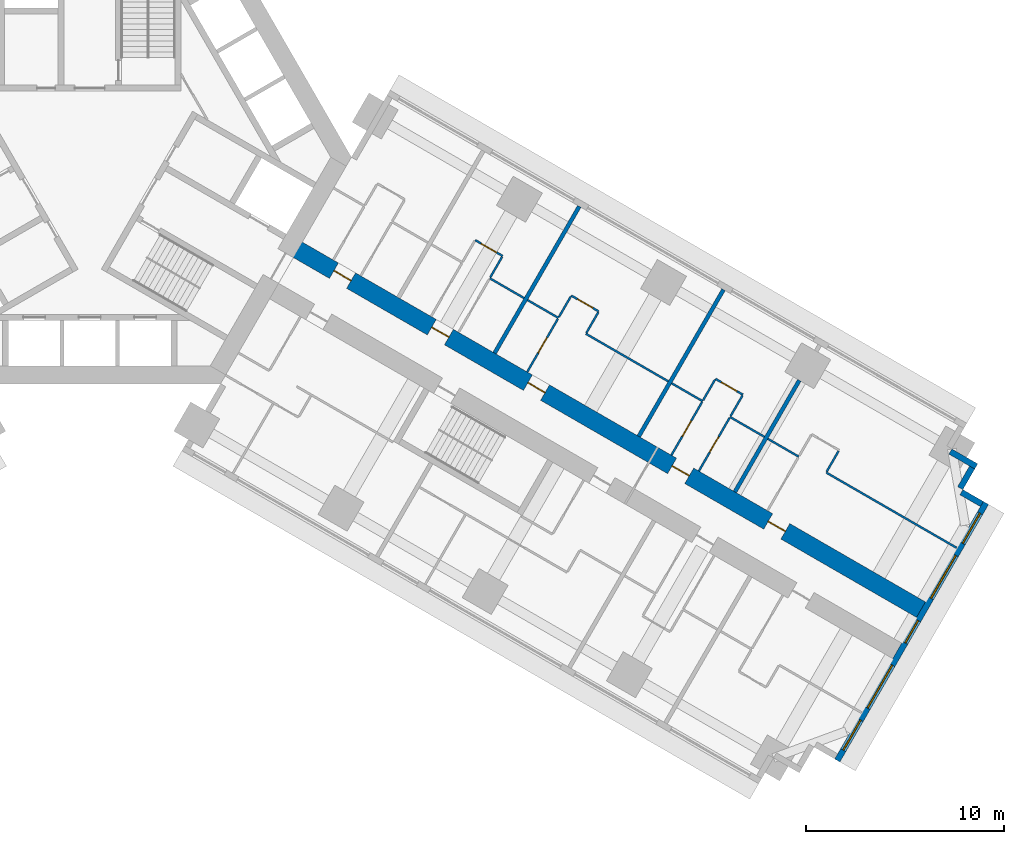
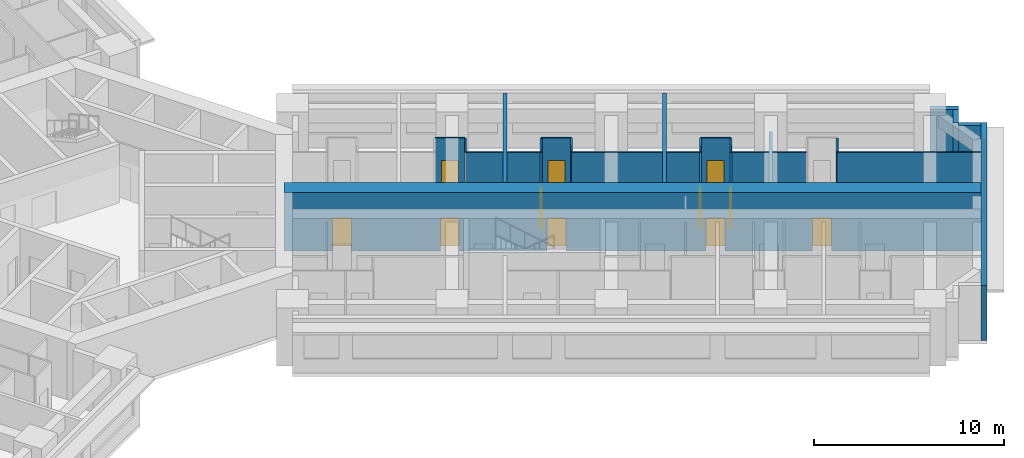
# One storey, part 13 of 17: 27 walls, 11 doors, 5 windows, 16 openings.
"""IFC4 building model written with IfcOpenShell, lengths in metres."""

from ifc_helpers import new_model, si_unit, direction, frame, frame_2d, origin, place, context, subcontext, project, spatial, rectangle, extrude, material, layer, layer_set, type_object, element, fill, save


model = new_model("IFC4")

# Units and contexts
model_context = context("Model", 3, precision=1e-05, world=origin(), true_north=direction((0.0, 1.0)))
body_context = subcontext(model_context, "Body", "Model", "MODEL_VIEW")
ifc_project = project(units=[si_unit("LENGTHUNIT", "METRE"), si_unit("AREAUNIT", "SQUARE_METRE"), si_unit("VOLUMEUNIT", "CUBIC_METRE"), si_unit("PLANEANGLEUNIT", "RADIAN"), si_unit("MASSUNIT", "GRAM", prefix="KILO")], contexts=[model_context])

# Site, building, storey
site_placement = place(None, origin())
site = spatial("IfcSite", under=ifc_project, at=site_placement, CompositionType="ELEMENT")
building_placement = place(site_placement, origin())
building = spatial("IfcBuilding", under=site, at=building_placement, Name="Impinga Residences", CompositionType="ELEMENT")
storey_placement = place(building_placement, frame((0.0, 0.0, 33.5)))
storey = spatial("IfcBuildingStorey", under=building, at=storey_placement, Name="L07", CompositionType="ELEMENT", Elevation=33.5)

# Wall, openings, doors
ifc_material_1 = material(Name="Concrete C70/85", Category="concrete")
ifc_layer_1 = layer(ifc_material_1, 0.89990234375)
ifc_layer_set_1 = layer_set([ifc_layer_1], Name="Concrete C70/85")
wall_type_1 = type_object("IfcWallType", Name="BW1 corridor buttress wall, L05 to L22 900", PredefinedType="SHEAR", material=ifc_layer_set_1)
wall_1_placement = place(storey_placement, frame((10.1103515625, -4.451416015625, 0.0), z_axis=(0.0, 0.0, 1.0), x_axis=(0.866025284237, -0.500000207062, 0.0)))
wall_1 = element("IfcWall", 1, at=wall_1_placement, inside=storey, type_object=wall_type_1, Name="Corridor wall BW1 EC L07", PredefinedType="SHEAR", context=body_context, shape_type="SweptSolid", body=[
    extrude(rectangle(XDim=36.75, YDim=0.89990234375, at=frame_2d((18.375, 0.0))), origin(), (0.0, 0.0, 1.0), 3.75),
])
opening_1_placement = place(wall_1_placement, frame((2.550048828125, 0.0, 0.0)))
opening_1 = element("IfcOpeningElement", 2, at=opening_1_placement, cuts=wall_1, Name="Opening D1", PredefinedType="OPENING", context=body_context, shape_type="SweptSolid", body=[
    extrude(rectangle(XDim=1.0, YDim=2.10009765625, at=frame_2d((0.5, 1.050048828125))), frame((0.0, 0.4599609375, 0.0), z_axis=(0.0, -1.0, 0.0), x_axis=(1.0, 0.0, 0.0)), (0.0, 0.0, 1.0), 0.919921875),
])
opening_2_placement = place(wall_1_placement, frame((8.25, 0.0, 0.0)))
opening_2 = element("IfcOpeningElement", 3, at=opening_2_placement, cuts=wall_1, Name="Opening D1", PredefinedType="OPENING", context=body_context, shape_type="SweptSolid", body=[
    extrude(rectangle(XDim=1.0, YDim=2.10009765625, at=frame_2d((0.5, 1.050048828125))), frame((0.0, 0.4599609375, 0.0), z_axis=(0.0, -1.0, 0.0), x_axis=(1.0, 0.0, 0.0)), (0.0, 0.0, 1.0), 0.919921875),
])
opening_3_placement = place(wall_1_placement, frame((13.85009765625, 0.0, 0.0)))
opening_3 = element("IfcOpeningElement", 4, at=opening_3_placement, cuts=wall_1, Name="Opening D1", PredefinedType="OPENING", context=body_context, shape_type="SweptSolid", body=[
    extrude(rectangle(XDim=1.0, YDim=2.10009765625, at=frame_2d((0.5, 1.050048828125))), frame((0.0, 0.4599609375, 0.0), z_axis=(0.0, -1.0, 0.0), x_axis=(1.0, 0.0, 0.0)), (0.0, 0.0, 1.0), 0.919921875),
])
opening_4_placement = place(wall_1_placement, frame((22.25, 0.0, 0.0)))
opening_4 = element("IfcOpeningElement", 5, at=opening_4_placement, cuts=wall_1, Name="Opening D1", PredefinedType="OPENING", context=body_context, shape_type="SweptSolid", body=[
    extrude(rectangle(XDim=1.0, YDim=2.10009765625, at=frame_2d((0.5, 1.050048828125))), frame((0.0, 0.4599609375, 0.0), z_axis=(0.0, -1.0, 0.0), x_axis=(1.0, 0.0, 0.0)), (0.0, 0.0, 1.0), 0.919921875),
])
opening_5_placement = place(wall_1_placement, frame((27.85009765625, 0.0, 0.0)))
opening_5 = element("IfcOpeningElement", 6, at=opening_5_placement, cuts=wall_1, Name="Opening D1", PredefinedType="OPENING", context=body_context, shape_type="SweptSolid", body=[
    extrude(rectangle(XDim=1.0, YDim=2.10009765625, at=frame_2d((0.5, 1.050048828125))), frame((0.0, 0.4599609375, 0.0), z_axis=(0.0, -1.0, 0.0), x_axis=(1.0, 0.0, 0.0)), (0.0, 0.0, 1.0), 0.919921875),
])
ifc_material_2 = material(Name="Timber door set", Category="wood")
door_type_1 = type_object("IfcDoorType", Name="D1 apartment entrance door 1000x2100", OperationType="SINGLE_SWING_LEFT", PredefinedType="DOOR", material=ifc_material_2)
door_1_placement = place(opening_1_placement, origin())
door_1 = element("IfcDoor", 7, at=door_1_placement, inside=storey, type_object=door_type_1, Name="Apartment L07-EA1 entrance", OperationType="SINGLE_SWING_LEFT", OverallHeight=2.10009765625, OverallWidth=1.0, PredefinedType="DOOR", context=body_context, shape_type="SweptSolid", body=[
    extrude(rectangle(XDim=1.0, YDim=2.10009765625, at=frame_2d((0.5, 1.050048828125))), frame((0.0, 0.02490234375, 0.0), z_axis=(0.0, -1.0, 0.0), x_axis=(1.0, 0.0, 0.0)), (0.0, 0.0, 1.0), 0.050048828125),
])
fill(opening_1, door_1)
door_2_placement = place(opening_2_placement, origin())
door_2 = element("IfcDoor", 8, at=door_2_placement, inside=storey, type_object=door_type_1, Name="Apartment L07-EA2 entrance", OperationType="SINGLE_SWING_LEFT", OverallHeight=2.10009765625, OverallWidth=1.0, PredefinedType="DOOR", context=body_context, shape_type="SweptSolid", body=[
    extrude(rectangle(XDim=1.0, YDim=2.10009765625, at=frame_2d((0.5, 1.050048828125))), frame((0.0, 0.02490234375, 0.0), z_axis=(0.0, -1.0, 0.0), x_axis=(1.0, 0.0, 0.0)), (0.0, 0.0, 1.0), 0.050048828125),
])
fill(opening_2, door_2)
door_3_placement = place(opening_3_placement, origin())
door_3 = element("IfcDoor", 9, at=door_3_placement, inside=storey, type_object=door_type_1, Name="Apartment L07-EA3 entrance", OperationType="SINGLE_SWING_LEFT", OverallHeight=2.10009765625, OverallWidth=1.0, PredefinedType="DOOR", context=body_context, shape_type="SweptSolid", body=[
    extrude(rectangle(XDim=1.0, YDim=2.10009765625, at=frame_2d((0.5, 1.050048828125))), frame((0.0, 0.02490234375, 0.0), z_axis=(0.0, -1.0, 0.0), x_axis=(1.0, 0.0, 0.0)), (0.0, 0.0, 1.0), 0.050048828125),
])
fill(opening_3, door_3)
door_4_placement = place(opening_4_placement, origin())
door_4 = element("IfcDoor", 10, at=door_4_placement, inside=storey, type_object=door_type_1, Name="Apartment L07-EA4 entrance", OperationType="SINGLE_SWING_RIGHT", OverallHeight=2.10009765625, OverallWidth=1.0, PredefinedType="DOOR", context=body_context, shape_type="SweptSolid", body=[
    extrude(rectangle(XDim=1.0, YDim=2.10009765625, at=frame_2d((0.5, 1.050048828125))), frame((0.0, 0.02490234375, 0.0), z_axis=(0.0, -1.0, 0.0), x_axis=(1.0, 0.0, 0.0)), (0.0, 0.0, 1.0), 0.050048828125),
])
fill(opening_4, door_4)
door_5_placement = place(opening_5_placement, origin())
door_5 = element("IfcDoor", 11, at=door_5_placement, inside=storey, type_object=door_type_1, Name="Apartment L07-EA5 entrance", OperationType="SINGLE_SWING_RIGHT", OverallHeight=2.10009765625, OverallWidth=1.0, PredefinedType="DOOR", context=body_context, shape_type="SweptSolid", body=[
    extrude(rectangle(XDim=1.0, YDim=2.10009765625, at=frame_2d((0.5, 1.050048828125))), frame((0.0, 0.02490234375, 0.0), z_axis=(0.0, -1.0, 0.0), x_axis=(1.0, 0.0, 0.0)), (0.0, 0.0, 1.0), 0.050048828125),
])
fill(opening_5, door_5)

# Walls
ifc_material_3 = material(Name="Terracotta rainscreen on blockwork", Category="masonry")
ifc_layer_2 = layer(ifc_material_3, 0.300048828125)
ifc_layer_set_2 = layer_set([ifc_layer_2], Name="EW1 external wall, terracotta rainscreen on blockwork 300")
wall_type_2 = type_object("IfcWallType", Name="EW1 external wall, terracotta rainscreen on blockwork 300", PredefinedType="SOLIDWALL", material=ifc_layer_set_2)
wall_2_placement = place(storey_placement, frame((43.42333984375, -14.8515625, 0.0), z_axis=(0.0, 0.0, 1.0), x_axis=(0.866031096941, -0.499990139034, 0.0)))
element("IfcWall", 12, at=wall_2_placement, inside=storey, type_object=wall_type_2, Name="External wall EW1 L07", PredefinedType="SOLIDWALL", context=body_context, shape_type="SweptSolid", body=[
    extrude(rectangle(XDim=1.5, YDim=0.300048828125, at=frame_2d((0.75, 0.0))), origin(), (0.0, 0.0, 1.0), 3.530029296875),
])
wall_3_placement = place(storey_placement, frame((44.517578125, -15.65625, 0.0), z_axis=(0.0, 0.0, 1.0), x_axis=(-0.500033551112, -0.866006032174, 0.0)))
element("IfcWall", 13, at=wall_3_placement, inside=storey, type_object=wall_type_2, Name="External wall EW1 L07", PredefinedType="SOLIDWALL", context=body_context, shape_type="SweptSolid", body=[
    extrude(rectangle(XDim=1.2001953125, YDim=0.300048828125, at=frame_2d((0.60009765625, 0.0))), origin(), (0.0, 0.0, 1.0), 3.530029296875),
])
wall_4_placement = place(storey_placement, frame((43.976806640625, -16.903076171875, 0.0), z_axis=(0.0, 0.0, 1.0), x_axis=(0.866059708757, -0.499940577336, 0.0)))
element("IfcWall", 14, at=wall_4_placement, inside=storey, type_object=wall_type_2, Name="External wall EW1 L07", PredefinedType="SOLIDWALL", context=body_context, shape_type="SweptSolid", body=[
    extrude(rectangle(XDim=1.195068359375, YDim=0.300048828125, at=frame_2d((0.59765625, 0.0))), origin(), (0.0, 0.0, 1.0), 3.530029296875),
])

# Wall, openings, windows
wall_5_placement = place(storey_placement, frame((45.216552734375, -17.445556640625, 0.0), z_axis=(0.0, 0.0, 1.0), x_axis=(-0.499997186618, -0.866027028085, 0.0)))
wall_5 = element("IfcWall", 15, at=wall_5_placement, inside=storey, type_object=wall_type_2, Name="External wall EW1 L07", PredefinedType="SOLIDWALL", context=body_context, shape_type="SweptSolid", body=[
    extrude(rectangle(XDim=15.0, YDim=0.300048828125, at=frame_2d((7.5, 0.0))), origin(), (0.0, 0.0, 1.0), 3.530029296875),
])
opening_6_placement = place(wall_5_placement, frame((0.60009765625, 0.0, 0.89990234375)))
opening_6 = element("IfcOpeningElement", 16, at=opening_6_placement, cuts=wall_5, Name="Opening W1", PredefinedType="OPENING", context=body_context, shape_type="SweptSolid", body=[
    extrude(rectangle(XDim=1.75, YDim=2.050048828125, at=frame_2d((0.875, 1.02490234375))), frame((0.0, 0.159912109375, 0.0), z_axis=(0.0, -1.0, 0.0), x_axis=(1.0, 0.0, 0.0)), (0.0, 0.0, 1.0), 0.320068359375),
])
opening_7_placement = place(wall_5_placement, frame((3.050048828125, 0.0, 0.89990234375)))
opening_7 = element("IfcOpeningElement", 17, at=opening_7_placement, cuts=wall_5, Name="Opening W2", PredefinedType="OPENING", context=body_context, shape_type="SweptSolid", body=[
    extrude(rectangle(XDim=2.5, YDim=2.050048828125, at=frame_2d((1.25, 1.02490234375))), frame((0.0, 0.159912109375, 0.0), z_axis=(0.0, -1.0, 0.0), x_axis=(1.0, 0.0, 0.0)), (0.0, 0.0, 1.0), 0.320068359375),
])
opening_8_placement = place(wall_5_placement, frame((6.85009765625, 0.0, 0.89990234375)))
opening_8 = element("IfcOpeningElement", 18, at=opening_8_placement, cuts=wall_5, Name="Opening WE1", PredefinedType="OPENING", context=body_context, shape_type="SweptSolid", body=[
    extrude(rectangle(XDim=1.300048828125, YDim=2.050048828125, at=frame_2d((0.64990234375, 1.02490234375))), frame((0.0, 0.159912109375, 0.0), z_axis=(0.0, -1.0, 0.0), x_axis=(1.0, 0.0, 0.0)), (0.0, 0.0, 1.0), 0.320068359375),
])
opening_9_placement = place(wall_5_placement, frame((9.449951171875, 0.0, 0.89990234375)))
opening_9 = element("IfcOpeningElement", 19, at=opening_9_placement, cuts=wall_5, Name="Opening W2", PredefinedType="OPENING", context=body_context, shape_type="SweptSolid", body=[
    extrude(rectangle(XDim=2.5, YDim=2.050048828125, at=frame_2d((1.25, 1.02490234375))), frame((0.0, 0.159912109375, 0.0), z_axis=(0.0, -1.0, 0.0), x_axis=(1.0, 0.0, 0.0)), (0.0, 0.0, 1.0), 0.320068359375),
])
opening_10_placement = place(wall_5_placement, frame((12.64990234375, 0.0, 0.89990234375)))
opening_10 = element("IfcOpeningElement", 20, at=opening_10_placement, cuts=wall_5, Name="Opening W1", PredefinedType="OPENING", context=body_context, shape_type="SweptSolid", body=[
    extrude(rectangle(XDim=1.75, YDim=2.050048828125, at=frame_2d((0.875, 1.02490234375))), frame((0.0, 0.159912109375, 0.0), z_axis=(0.0, -1.0, 0.0), x_axis=(1.0, 0.0, 0.0)), (0.0, 0.0, 1.0), 0.320068359375),
])
ifc_material_4 = material(Name="Aluminium window, clear double glazing", Category="aluminium")
window_type_1 = type_object("IfcWindowType", Name="W1 ribbon window 1750x2050", PartitioningType="SINGLE_PANEL", PredefinedType="WINDOW", material=ifc_material_4)
window_1_placement = place(opening_6_placement, origin())
window_1 = element("IfcWindow", 21, at=window_1_placement, inside=storey, type_object=window_type_1, Name="Window L07", OverallHeight=2.050048828125, OverallWidth=1.75, PartitioningType="SINGLE_PANEL", PredefinedType="WINDOW", context=body_context, shape_type="SweptSolid", body=[
    extrude(rectangle(XDim=1.75, YDim=2.050048828125, at=frame_2d((0.875, 1.02490234375))), frame((0.0, 0.030029296875, 0.0), z_axis=(0.0, -1.0, 0.0), x_axis=(1.0, 0.0, 0.0)), (0.0, 0.0, 1.0), 0.06005859375),
])
fill(opening_6, window_1)
window_2_placement = place(opening_10_placement, origin())
window_2 = element("IfcWindow", 22, at=window_2_placement, inside=storey, type_object=window_type_1, Name="Window L07", OverallHeight=2.050048828125, OverallWidth=1.75, PartitioningType="SINGLE_PANEL", PredefinedType="WINDOW", context=body_context, shape_type="SweptSolid", body=[
    extrude(rectangle(XDim=1.75, YDim=2.050048828125, at=frame_2d((0.875, 1.02490234375))), frame((0.0, 0.030029296875, 0.0), z_axis=(0.0, -1.0, 0.0), x_axis=(1.0, 0.0, 0.0)), (0.0, 0.0, 1.0), 0.06005859375),
])
fill(opening_10, window_2)
window_type_2 = type_object("IfcWindowType", Name="W2 ribbon window 2500x2050", PartitioningType="SINGLE_PANEL", PredefinedType="WINDOW", material=ifc_material_4)
window_3_placement = place(opening_7_placement, origin())
window_3 = element("IfcWindow", 23, at=window_3_placement, inside=storey, type_object=window_type_2, Name="Window L07", OverallHeight=2.050048828125, OverallWidth=2.5, PartitioningType="SINGLE_PANEL", PredefinedType="WINDOW", context=body_context, shape_type="SweptSolid", body=[
    extrude(rectangle(XDim=2.5, YDim=2.050048828125, at=frame_2d((1.25, 1.02490234375))), frame((0.0, 0.030029296875, 0.0), z_axis=(0.0, -1.0, 0.0), x_axis=(1.0, 0.0, 0.0)), (0.0, 0.0, 1.0), 0.06005859375),
])
fill(opening_7, window_3)
window_4_placement = place(opening_9_placement, origin())
window_4 = element("IfcWindow", 24, at=window_4_placement, inside=storey, type_object=window_type_2, Name="Window L07", OverallHeight=2.050048828125, OverallWidth=2.5, PartitioningType="SINGLE_PANEL", PredefinedType="WINDOW", context=body_context, shape_type="SweptSolid", body=[
    extrude(rectangle(XDim=2.5, YDim=2.050048828125, at=frame_2d((1.25, 1.02490234375))), frame((0.0, 0.030029296875, 0.0), z_axis=(0.0, -1.0, 0.0), x_axis=(1.0, 0.0, 0.0)), (0.0, 0.0, 1.0), 0.06005859375),
])
fill(opening_9, window_4)
window_type_3 = type_object("IfcWindowType", Name="WE1 corridor window 1300x2050", PartitioningType="SINGLE_PANEL", PredefinedType="WINDOW", material=ifc_material_4)
window_5_placement = place(opening_8_placement, origin())
window_5 = element("IfcWindow", 25, at=window_5_placement, inside=storey, type_object=window_type_3, Name="Window L07", OverallHeight=2.050048828125, OverallWidth=1.300048828125, PartitioningType="SINGLE_PANEL", PredefinedType="WINDOW", context=body_context, shape_type="SweptSolid", body=[
    extrude(rectangle(XDim=1.300048828125, YDim=2.050048828125, at=frame_2d((0.64990234375, 1.02490234375))), frame((0.0, 0.030029296875, 0.0), z_axis=(0.0, -1.0, 0.0), x_axis=(1.0, 0.0, 0.0)), (0.0, 0.0, 1.0), 0.06005859375),
])
fill(opening_8, window_5)

# Wall
ifc_material_5 = material(Name="Gypsum board on steel studs", Category="steel")
ifc_layer_3 = layer(ifc_material_5, 0.10009765625)
ifc_layer_set_3 = layer_set([ifc_layer_3], Name="Gypsum board on steel studs")
wall_type_3 = type_object("IfcWallType", Name="IP1 partition 100", PredefinedType="PARTITIONING", material=ifc_layer_set_3)
wall_6_placement = place(storey_placement, frame((20.180908203125, -6.10888671875, 0.0), z_axis=(0.0, 0.0, 1.0), x_axis=(0.866010750942, -0.50002537861, 0.0)))
element("IfcWall", 26, at=wall_6_placement, inside=storey, type_object=wall_type_3, Name="Partition L07-EA2:DIV1", PredefinedType="PARTITIONING", context=body_context, shape_type="SweptSolid", body=[
    extrude(rectangle(XDim=2.0, YDim=0.10009765625, at=frame_2d((1.0, 0.0))), origin(), (0.0, 0.0, 1.0), 3.530029296875),
])

# Wall, opening, door
wall_7_placement = place(storey_placement, frame((19.4453125, -4.18310546875, 0.0), z_axis=(0.0, 0.0, 1.0), x_axis=(0.866055983265, -0.499947031044, 0.0)))
wall_7 = element("IfcWall", 27, at=wall_7_placement, inside=storey, type_object=wall_type_3, Name="Partition L07-EA2:STRIP", PredefinedType="PARTITIONING", context=body_context, shape_type="SweptSolid", body=[
    extrude(rectangle(XDim=1.599853515625, YDim=0.10009765625, at=frame_2d((0.7998046875, 0.0))), origin(), (0.0, 0.0, 1.0), 3.530029296875),
])
opening_11_placement = place(wall_7_placement, frame((0.35009765625, 0.0, 0.0)))
opening_11 = element("IfcOpeningElement", 28, at=opening_11_placement, cuts=wall_7, Name="Opening D2", PredefinedType="OPENING", context=body_context, shape_type="SweptSolid", body=[
    extrude(rectangle(XDim=0.89990234375, YDim=2.10009765625, at=frame_2d((0.449951171875, 1.050048828125))), frame((0.0, 0.06005859375, 0.0), z_axis=(0.0, -1.0, 0.0), x_axis=(1.0, 0.0, 0.0)), (0.0, 0.0, 1.0), 0.1201171875),
])
door_type_2 = type_object("IfcDoorType", Name="D2 internal door 900x2100", OperationType="SINGLE_SWING_LEFT", PredefinedType="DOOR", material=ifc_material_2)
door_6_placement = place(opening_11_placement, origin())
door_6 = element("IfcDoor", 29, at=door_6_placement, inside=storey, type_object=door_type_2, Name="Apartment L07-EA2 room door", OperationType="SINGLE_SWING_LEFT", OverallHeight=2.10009765625, OverallWidth=0.89990234375, PredefinedType="DOOR", context=body_context, shape_type="SweptSolid", body=[
    extrude(rectangle(XDim=0.89990234375, YDim=2.10009765625, at=frame_2d((0.449951171875, 1.050048828125))), frame((0.0, 0.02490234375, 0.0), z_axis=(0.0, -1.0, 0.0), x_axis=(1.0, 0.0, 0.0)), (0.0, 0.0, 1.0), 0.050048828125),
])
fill(opening_11, door_6)

# Walls
wall_8_placement = place(storey_placement, frame((20.205810546875, -6.0654296875, 0.0), z_axis=(0.0, 0.0, 1.0), x_axis=(0.50012165622, 0.865955154139, 0.0)))
element("IfcWall", 30, at=wall_8_placement, inside=storey, type_object=wall_type_3, Name="Partition L07-EA2:SE1", PredefinedType="PARTITIONING", context=body_context, shape_type="SweptSolid", body=[
    extrude(rectangle(XDim=1.199951171875, YDim=0.10009765625, at=frame_2d((0.60009765625, 0.0))), origin(), (0.0, 0.0, 1.0), 3.530029296875),
])
wall_9_placement = place(storey_placement, frame((22.086181640625, -7.208740234375, 0.0), z_axis=(0.0, 0.0, 1.0), x_axis=(0.865989075817, -0.500062916607, 0.0)))
element("IfcWall", 31, at=wall_9_placement, inside=storey, type_object=wall_type_3, Name="Partition L07-EA3:DIV0", PredefinedType="PARTITIONING", context=body_context, shape_type="SweptSolid", body=[
    extrude(rectangle(XDim=1.800048828125, YDim=0.10009765625, at=frame_2d((0.89990234375, 0.0))), origin(), (0.0, 0.0, 1.0), 3.530029296875),
])
wall_10_placement = place(storey_placement, frame((25.030517578125, -8.908935546875, 0.0), z_axis=(0.0, 0.0, 1.0), x_axis=(0.866037363387, -0.499979284789, 0.0)))
element("IfcWall", 32, at=wall_10_placement, inside=storey, type_object=wall_type_3, Name="Partition L07-EA3:DIV1", PredefinedType="PARTITIONING", context=body_context, shape_type="SweptSolid", body=[
    extrude(rectangle(XDim=4.800048828125, YDim=0.10009765625, at=frame_2d((2.39990234375, 0.0))), origin(), (0.0, 0.0, 1.0), 3.530029296875),
])

# Wall, opening, door
wall_11_placement = place(storey_placement, frame((24.294921875, -6.98291015625, 0.0), z_axis=(0.0, 0.0, 1.0), x_axis=(0.866028054938, -0.499995408039, 0.0)))
wall_11 = element("IfcWall", 33, at=wall_11_placement, inside=storey, type_object=wall_type_3, Name="Partition L07-EA3:STRIP", PredefinedType="PARTITIONING", context=body_context, shape_type="SweptSolid", body=[
    extrude(rectangle(XDim=1.60009765625, YDim=0.10009765625, at=frame_2d((0.800048828125, 0.0))), origin(), (0.0, 0.0, 1.0), 3.530029296875),
])
opening_12_placement = place(wall_11_placement, frame((0.35009765625, 0.0, 0.0)))
opening_12 = element("IfcOpeningElement", 34, at=opening_12_placement, cuts=wall_11, Name="Opening D2", PredefinedType="OPENING", context=body_context, shape_type="SweptSolid", body=[
    extrude(rectangle(XDim=0.89990234375, YDim=2.10009765625, at=frame_2d((0.449951171875, 1.050048828125))), frame((0.0, 0.06005859375, 0.0), z_axis=(0.0, -1.0, 0.0), x_axis=(1.0, 0.0, 0.0)), (0.0, 0.0, 1.0), 0.1201171875),
])
door_7_placement = place(opening_12_placement, origin())
door_7 = element("IfcDoor", 35, at=door_7_placement, inside=storey, type_object=door_type_2, Name="Apartment L07-EA3 room door", OperationType="SINGLE_SWING_LEFT", OverallHeight=2.10009765625, OverallWidth=0.89990234375, PredefinedType="DOOR", context=body_context, shape_type="SweptSolid", body=[
    extrude(rectangle(XDim=0.89990234375, YDim=2.10009765625, at=frame_2d((0.449951171875, 1.050048828125))), frame((0.0, 0.02490234375, 0.0), z_axis=(0.0, -1.0, 0.0), x_axis=(1.0, 0.0, 0.0)), (0.0, 0.0, 1.0), 0.050048828125),
])
fill(opening_12, door_7)

# Walls
wall_12_placement = place(storey_placement, frame((23.669921875, -8.0654296875, 0.0), z_axis=(0.0, 0.0, 1.0), x_axis=(0.50012165622, 0.865955154139, 0.0)))
element("IfcWall", 36, at=wall_12_placement, inside=storey, type_object=wall_type_3, Name="Partition L07-EA3:SE0", PredefinedType="PARTITIONING", context=body_context, shape_type="SweptSolid", body=[
    extrude(rectangle(XDim=1.199951171875, YDim=0.10009765625, at=frame_2d((0.60009765625, 0.0))), origin(), (0.0, 0.0, 1.0), 3.530029296875),
])
wall_13_placement = place(storey_placement, frame((25.0556640625, -8.865478515625, 0.0), z_axis=(0.0, 0.0, 1.0), x_axis=(0.499969057507, 0.866043267704, 0.0)))
element("IfcWall", 37, at=wall_13_placement, inside=storey, type_object=wall_type_3, Name="Partition L07-EA3:SE1", PredefinedType="PARTITIONING", context=body_context, shape_type="SweptSolid", body=[
    extrude(rectangle(XDim=1.19970703125, YDim=0.10009765625, at=frame_2d((0.599853515625, 0.0))), origin(), (0.0, 0.0, 1.0), 3.530029296875),
])

# Wall, opening, door
wall_14_placement = place(storey_placement, frame((22.06982421875, -10.8369140625, 0.0), z_axis=(0.0, 0.0, 1.0), x_axis=(0.49999285859, 0.86602952684, 0.0)))
wall_14 = element("IfcWall", 38, at=wall_14_placement, inside=storey, type_object=wall_type_3, Name="Partition L07-EA3:IB1", PredefinedType="PARTITIONING", context=body_context, shape_type="SweptSolid", body=[
    extrude(rectangle(XDim=3.10009765625, YDim=0.10009765625, at=frame_2d((1.550048828125, 0.0))), origin(), (0.0, 0.0, 1.0), 3.530029296875),
])
opening_13_placement = place(wall_14_placement, frame((1.10009765625, 0.0, 0.0)))
opening_13 = element("IfcOpeningElement", 39, at=opening_13_placement, cuts=wall_14, Name="Opening D2", PredefinedType="OPENING", context=body_context, shape_type="SweptSolid", body=[
    extrude(rectangle(XDim=0.89990234375, YDim=2.10009765625, at=frame_2d((0.449951171875, 1.050048828125))), frame((0.0, 0.06005859375, 0.0), z_axis=(0.0, -1.0, 0.0), x_axis=(1.0, 0.0, 0.0)), (0.0, 0.0, 1.0), 0.1201171875),
])
door_8_placement = place(opening_13_placement, origin())
door_8 = element("IfcDoor", 40, at=door_8_placement, inside=storey, type_object=door_type_2, Name="Apartment L07-EA3 bathroom door", OperationType="SINGLE_SWING_LEFT", OverallHeight=2.10009765625, OverallWidth=0.89990234375, PredefinedType="DOOR", context=body_context, shape_type="SweptSolid", body=[
    extrude(rectangle(XDim=0.89990234375, YDim=2.10009765625, at=frame_2d((0.449951171875, 1.050048828125))), frame((0.0, 0.02490234375, 0.0), z_axis=(0.0, -1.0, 0.0), x_axis=(1.0, 0.0, 0.0)), (0.0, 0.0, 1.0), 0.050048828125),
])
fill(opening_13, door_8)

# Walls
wall_15_placement = place(storey_placement, frame((29.360595703125, -11.408935546875, 0.0), z_axis=(0.0, 0.0, 1.0), x_axis=(0.866047807691, -0.499961193289, 0.0)))
element("IfcWall", 41, at=wall_15_placement, inside=storey, type_object=wall_type_3, Name="Partition L07-EA4:DIV0", PredefinedType="PARTITIONING", context=body_context, shape_type="SweptSolid", body=[
    extrude(rectangle(XDim=1.800048828125, YDim=0.10009765625, at=frame_2d((0.89990234375, 0.0))), origin(), (0.0, 0.0, 1.0), 3.530029296875),
])
wall_16_placement = place(storey_placement, frame((32.30517578125, -13.10888671875, 0.0), z_axis=(0.0, 0.0, 1.0), x_axis=(0.866041268327, -0.499972520799, 0.0)))
element("IfcWall", 42, at=wall_16_placement, inside=storey, type_object=wall_type_3, Name="Partition L07-EA4:DIV1", PredefinedType="PARTITIONING", context=body_context, shape_type="SweptSolid", body=[
    extrude(rectangle(XDim=2.0, YDim=0.10009765625, at=frame_2d((1.0, 0.0))), origin(), (0.0, 0.0, 1.0), 3.530029296875),
])

# Wall, opening, door
wall_17_placement = place(storey_placement, frame((31.569580078125, -11.18310546875, 0.0), z_axis=(0.0, 0.0, 1.0), x_axis=(0.866055983265, -0.499947031044, 0.0)))
wall_17 = element("IfcWall", 43, at=wall_17_placement, inside=storey, type_object=wall_type_3, Name="Partition L07-EA4:STRIP", PredefinedType="PARTITIONING", context=body_context, shape_type="SweptSolid", body=[
    extrude(rectangle(XDim=1.599853515625, YDim=0.10009765625, at=frame_2d((0.7998046875, 0.0))), origin(), (0.0, 0.0, 1.0), 3.530029296875),
])
opening_14_placement = place(wall_17_placement, frame((0.35009765625, 0.0, 0.0)))
opening_14 = element("IfcOpeningElement", 44, at=opening_14_placement, cuts=wall_17, Name="Opening D2", PredefinedType="OPENING", context=body_context, shape_type="SweptSolid", body=[
    extrude(rectangle(XDim=0.89990234375, YDim=2.10009765625, at=frame_2d((0.449951171875, 1.050048828125))), frame((0.0, 0.06005859375, 0.0), z_axis=(0.0, -1.0, 0.0), x_axis=(1.0, 0.0, 0.0)), (0.0, 0.0, 1.0), 0.1201171875),
])
door_9_placement = place(opening_14_placement, origin())
door_9 = element("IfcDoor", 45, at=door_9_placement, inside=storey, type_object=door_type_2, Name="Apartment L07-EA4 room door", OperationType="SINGLE_SWING_LEFT", OverallHeight=2.10009765625, OverallWidth=0.89990234375, PredefinedType="DOOR", context=body_context, shape_type="SweptSolid", body=[
    extrude(rectangle(XDim=0.89990234375, YDim=2.10009765625, at=frame_2d((0.449951171875, 1.050048828125))), frame((0.0, 0.02490234375, 0.0), z_axis=(0.0, -1.0, 0.0), x_axis=(1.0, 0.0, 0.0)), (0.0, 0.0, 1.0), 0.050048828125),
])
fill(opening_14, door_9)

# Walls
for number, where, z_axis, x_axis, name in (
    (46, (30.944580078125, -12.265625, 0.0), (0.0, 0.0, 1.0), (0.499880961361, 0.866094119867, 0.0), "Partition L07-EA4:SE0"),
    (47, (32.330078125, -13.0654296875, 0.0), (0.0, 0.0, 1.0), (0.50012165622, 0.865955154139, 0.0), "Partition L07-EA4:SE1"),
):
    element("IfcWall", number, at=place(storey_placement, frame(where, z_axis=z_axis, x_axis=x_axis)), inside=storey, type_object=wall_type_3, Name=name, PredefinedType="PARTITIONING", context=body_context, shape_type="SweptSolid", body=[
        extrude(rectangle(XDim=1.199951171875, YDim=0.10009765625, at=frame_2d((0.60009765625, 0.0))), origin(), (0.0, 0.0, 1.0), 3.530029296875),
    ])

# Wall, opening, door
wall_18_placement = place(storey_placement, frame((29.344482421875, -15.036865234375, 0.0), z_axis=(0.0, 0.0, 1.0), x_axis=(0.49999285859, 0.86602952684, 0.0)))
wall_18 = element("IfcWall", 48, at=wall_18_placement, inside=storey, type_object=wall_type_3, Name="Partition L07-EA4:IB1", PredefinedType="PARTITIONING", context=body_context, shape_type="SweptSolid", body=[
    extrude(rectangle(XDim=3.10009765625, YDim=0.10009765625, at=frame_2d((1.550048828125, 0.0))), origin(), (0.0, 0.0, 1.0), 3.530029296875),
])
opening_15_placement = place(wall_18_placement, frame((1.10009765625, 0.0, 0.0)))
opening_15 = element("IfcOpeningElement", 49, at=opening_15_placement, cuts=wall_18, Name="Opening D2", PredefinedType="OPENING", context=body_context, shape_type="SweptSolid", body=[
    extrude(rectangle(XDim=0.89990234375, YDim=2.10009765625, at=frame_2d((0.449951171875, 1.050048828125))), frame((0.0, 0.06005859375, 0.0), z_axis=(0.0, -1.0, 0.0), x_axis=(1.0, 0.0, 0.0)), (0.0, 0.0, 1.0), 0.1201171875),
])
door_10_placement = place(opening_15_placement, origin())
door_10 = element("IfcDoor", 50, at=door_10_placement, inside=storey, type_object=door_type_2, Name="Apartment L07-EA4 bathroom door", OperationType="SINGLE_SWING_LEFT", OverallHeight=2.10009765625, OverallWidth=0.89990234375, PredefinedType="DOOR", context=body_context, shape_type="SweptSolid", body=[
    extrude(rectangle(XDim=0.89990234375, YDim=2.10009765625, at=frame_2d((0.449951171875, 1.050048828125))), frame((0.0, 0.02490234375, 0.0), z_axis=(0.0, -1.0, 0.0), x_axis=(1.0, 0.0, 0.0)), (0.0, 0.0, 1.0), 0.050048828125),
])
fill(opening_15, door_10)

wall_19_placement = place(storey_placement, frame((30.730224609375, -15.8369140625, 0.0), z_axis=(0.0, 0.0, 1.0), x_axis=(0.49999285859, 0.86602952684, 0.0)))
wall_19 = element("IfcWall", 51, at=wall_19_placement, inside=storey, type_object=wall_type_3, Name="Partition L07-EA4:IB2", PredefinedType="PARTITIONING", context=body_context, shape_type="SweptSolid", body=[
    extrude(rectangle(XDim=3.10009765625, YDim=0.10009765625, at=frame_2d((1.550048828125, 0.0))), origin(), (0.0, 0.0, 1.0), 3.530029296875),
])
opening_16_placement = place(wall_19_placement, frame((1.10009765625, 0.0, 0.0)))
opening_16 = element("IfcOpeningElement", 52, at=opening_16_placement, cuts=wall_19, Name="Opening D2", PredefinedType="OPENING", context=body_context, shape_type="SweptSolid", body=[
    extrude(rectangle(XDim=0.89990234375, YDim=2.10009765625, at=frame_2d((0.449951171875, 1.050048828125))), frame((0.0, 0.06005859375, 0.0), z_axis=(0.0, -1.0, 0.0), x_axis=(1.0, 0.0, 0.0)), (0.0, 0.0, 1.0), 0.1201171875),
])
door_11_placement = place(opening_16_placement, origin())
door_11 = element("IfcDoor", 53, at=door_11_placement, inside=storey, type_object=door_type_2, Name="Apartment L07-EA4 WC door", OperationType="SINGLE_SWING_LEFT", OverallHeight=2.10009765625, OverallWidth=0.89990234375, PredefinedType="DOOR", context=body_context, shape_type="SweptSolid", body=[
    extrude(rectangle(XDim=0.89990234375, YDim=2.10009765625, at=frame_2d((0.449951171875, 1.050048828125))), frame((0.0, 0.02490234375, 0.0), z_axis=(0.0, -1.0, 0.0), x_axis=(1.0, 0.0, 0.0)), (0.0, 0.0, 1.0), 0.050048828125),
])
fill(opening_16, door_11)

# Walls
wall_20_placement = place(storey_placement, frame((34.21044921875, -14.208740234375, 0.0), z_axis=(0.0, 0.0, 1.0), x_axis=(0.865989075817, -0.500062916607, 0.0)))
element("IfcWall", 54, at=wall_20_placement, inside=storey, type_object=wall_type_3, Name="Partition L07-EA5:DIV0", PredefinedType="PARTITIONING", context=body_context, shape_type="SweptSolid", body=[
    extrude(rectangle(XDim=1.800048828125, YDim=0.10009765625, at=frame_2d((0.89990234375, 0.0))), origin(), (0.0, 0.0, 1.0), 3.530029296875),
])
wall_21_placement = place(storey_placement, frame((37.155029296875, -15.908935546875, 0.0), z_axis=(0.0, 0.0, 1.0), x_axis=(0.866036335692, -0.499981064903, 0.0)))
element("IfcWall", 55, at=wall_21_placement, inside=storey, type_object=wall_type_3, Name="Partition L07-EA5:DIV1", PredefinedType="PARTITIONING", context=body_context, shape_type="SweptSolid", body=[
    extrude(rectangle(XDim=7.599853515625, YDim=0.10009765625, at=frame_2d((3.7998046875, 0.0))), origin(), (0.0, 0.0, 1.0), 3.530029296875),
])
wall_22_placement = place(storey_placement, frame((37.179931640625, -15.865478515625, 0.0), z_axis=(0.0, 0.0, 1.0), x_axis=(0.50012165622, 0.865955154139, 0.0)))
element("IfcWall", 56, at=wall_22_placement, inside=storey, type_object=wall_type_3, Name="Partition L07-EA5:SE1", PredefinedType="PARTITIONING", context=body_context, shape_type="SweptSolid", body=[
    extrude(rectangle(XDim=1.199951171875, YDim=0.10009765625, at=frame_2d((0.60009765625, 0.0))), origin(), (0.0, 0.0, 1.0), 3.530029296875),
])
ifc_material_6 = material(Name="Concrete blockwork", Category="masonry")
ifc_layer_4 = layer(ifc_material_6, 0.199951171875)
ifc_layer_set_4 = layer_set([ifc_layer_4], Name="PW1 party wall between apartments 200")
wall_type_4 = type_object("IfcWallType", Name="PW1 party wall between apartments 200", PredefinedType="SOLIDWALL", material=ifc_layer_set_4)
wall_23_placement = place(storey_placement, frame((20.424560546875, -9.88671875, 0.0), z_axis=(0.0, 0.0, 1.0), x_axis=(0.500002592159, 0.866023907196, 0.0)))
element("IfcWall", 57, at=wall_23_placement, inside=storey, type_object=wall_type_4, Name="Party wall between apartments L07-EA2:PARTY", PredefinedType="SOLIDWALL", context=body_context, shape_type="SweptSolid", body=[
    extrude(rectangle(XDim=8.5498046875, YDim=0.199951171875, at=frame_2d((4.27490234375, 0.0))), origin(), (0.0, 0.0, 1.0), 3.530029296875),
])
wall_24_placement = place(storey_placement, frame((27.69921875, -14.0869140625, 0.0), z_axis=(0.0, 0.0, 1.0), x_axis=(0.499990227581, 0.86603104582, 0.0)))
element("IfcWall", 58, at=wall_24_placement, inside=storey, type_object=wall_type_4, Name="Party wall between apartments L07-EA3:PARTY", PredefinedType="SOLIDWALL", context=body_context, shape_type="SweptSolid", body=[
    extrude(rectangle(XDim=8.550048828125, YDim=0.199951171875, at=frame_2d((4.27490234375, 0.0))), origin(), (0.0, 0.0, 1.0), 3.530029296875),
])
wall_25_placement = place(storey_placement, frame((32.548828125, -16.88671875, 0.0), z_axis=(0.0, 0.0, 1.0), x_axis=(0.50000098154, 0.866024837091, 0.0)))
element("IfcWall", 59, at=wall_25_placement, inside=storey, type_object=wall_type_4, Name="Party wall between apartments L07-EA4:PARTY", PredefinedType="SOLIDWALL", context=body_context, shape_type="SweptSolid", body=[
    extrude(rectangle(XDim=6.5, YDim=0.199951171875, at=frame_2d((3.25, 0.0))), origin(), (0.0, 0.0, 1.0), 2.47998046875),
])

save(model, "model.ifc")
